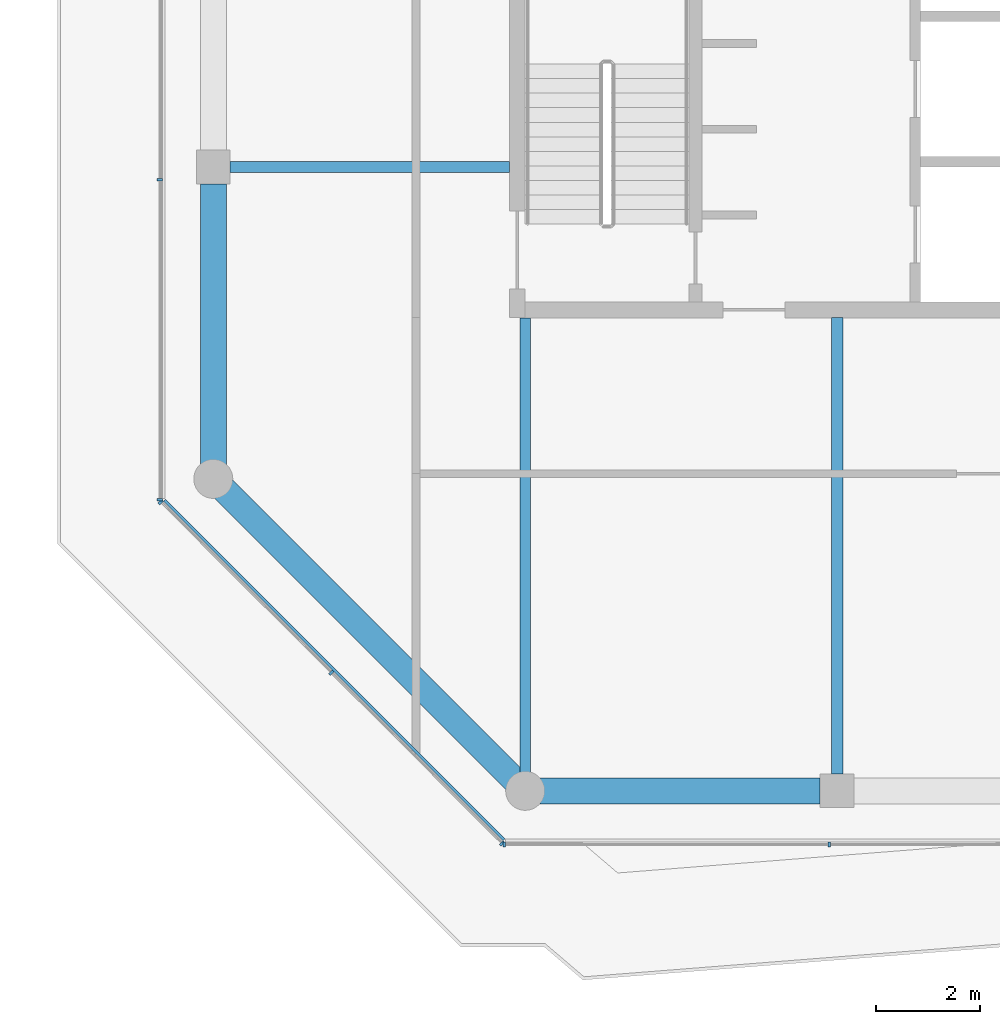
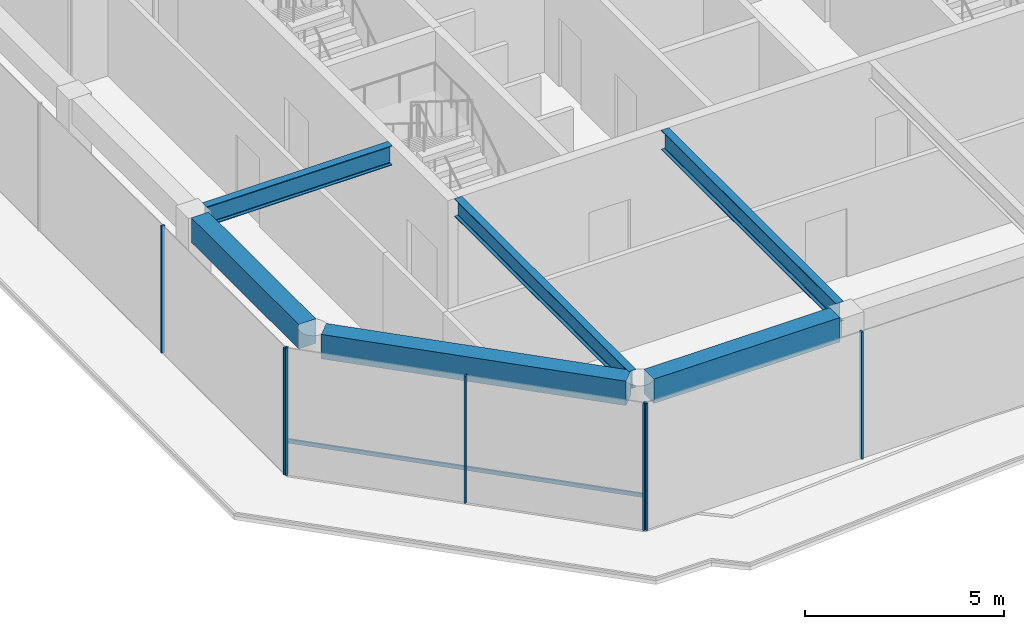
# One storey, part 2 of 20: 8 members, 6 beams, 3 elements without a shape of their own.
"""IFC4 building model written with IfcOpenShell, lengths in metres."""

from ifc_helpers import new_model, si_unit, direction, frame, origin, origin_2d, place, context, subcontext, project, spatial, rectangle, i_section, extrude, material, layer, layer_set, material_profile, profile_set, type_object, element, aggregate, save


model = new_model("IFC4")

# Units and contexts
model_context = context("Model", 3, precision=1e-05, world=origin(), true_north=direction((0.0, 1.0)))
body_context = subcontext(model_context, "Body", "Model", "MODEL_VIEW")
ifc_project = project(units=[si_unit("LENGTHUNIT", "METRE"), si_unit("AREAUNIT", "SQUARE_METRE"), si_unit("VOLUMEUNIT", "CUBIC_METRE"), si_unit("PLANEANGLEUNIT", "RADIAN"), si_unit("MASSUNIT", "GRAM", prefix="KILO")], contexts=[model_context])

# Site, building, storey
site_placement = place(None, origin())
site = spatial("IfcSite", under=ifc_project, at=site_placement, CompositionType="ELEMENT")
building_placement = place(site_placement, origin())
building = spatial("IfcBuilding", under=site, at=building_placement, Name="Welwitschia Terrace Campus", CompositionType="ELEMENT")
storey_placement = place(building_placement, frame((0.0, 0.0, 314.60009765625)))
storey = spatial("IfcBuildingStorey", under=building, at=storey_placement, Name="L70", CompositionType="ELEMENT", Elevation=314.60009765625)

# Beam
ifc_material_1 = material(Name="Steel S355", Category="steel")
ifc_material_profile_1 = material_profile(ifc_material_1, i_section(OverallWidth=0.2099609375, OverallDepth=0.550048828125, WebThickness=0.010986328125, FlangeThickness=0.01708984375, FilletRadius=0.02392578125, at=origin_2d()))
ifc_profile_set_1 = profile_set([ifc_material_profile_1], Name="Steel S355")
beam_type_1 = type_object("IfcBeamType", Name="Interior girder IPE 550", PredefinedType="BEAM", material=ifc_profile_set_1)
beam_1_placement = place(storey_placement, frame((6.0, -3.6494140625, 3.625), z_axis=(0.0, 1.0, 0.0), x_axis=(-1.0, 0.0, 0.0)))
element("IfcBeam", 1, at=beam_1_placement, inside=storey, type_object=beam_type_1, Name="Girder GB7", PredefinedType="BEAM", context=body_context, shape_type="SweptSolid", body=[
    extrude(i_section(OverallWidth=0.2099609375, OverallDepth=0.550048828125, WebThickness=0.010986328125, FlangeThickness=0.01708984375, FilletRadius=0.02392578125, at=origin_2d()), origin(), (0.0, 0.0, 1.0), 8.74853515625),
])

# Curtain wall, members
ifc_material_2 = material(Name="Bronze anodised aluminium", Category="aluminium")
ifc_layer = layer(ifc_material_2, 0.10009765625)
ifc_layer_set = layer_set([ifc_layer], Name="Bronze anodised aluminium")
curtain_wall_type = type_object("IfcCurtainWallType", Name="Curtain wall CW5 crown 6000", PredefinedType="NOTDEFINED", material=ifc_layer_set)
curtain_wall_1_placement = place(storey_placement, origin())
curtain_wall_1 = element("IfcCurtainWall", 2, at=curtain_wall_1_placement, inside=storey, type_object=curtain_wall_type, Name="CW L70.0.0", PredefinedType="NOTDEFINED")
ifc_material_3 = material(Name="Bronze anodised aluminium", Category="aluminium")
ifc_material_profile_2 = material_profile(ifc_material_3, rectangle(XDim=0.10009765625, YDim=0.050048828125, at=origin_2d()))
ifc_profile_set_2 = profile_set([ifc_material_profile_2], Name="Bronze anodised aluminium")
member_type_1 = type_object("IfcMemberType", Name="Mullion 50x100", PredefinedType="MULLION", material=ifc_profile_set_2)
member_1_placement = place(storey_placement, frame((-1.01220703125, 1.5556640625, 0.0), z_axis=(0.0, 0.0, 1.0), x_axis=(0.707106781187, 0.707106781187, 0.0)))
member_1 = element("IfcMember", 3, at=member_1_placement, type_object=member_type_1, Name="Mullion L70.0.0.0", PredefinedType="MULLION", context=body_context, shape_type="SweptSolid", body=[
    extrude(rectangle(XDim=0.10009765625, YDim=0.050048828125, at=origin_2d()), origin(), (0.0, 0.0, 1.0), 3.89990234375),
])
member_2_placement = place(storey_placement, frame((2.271728515625, -1.728271484375, 0.0), z_axis=(0.0, 0.0, 1.0), x_axis=(0.707106781187, 0.707106781187, 0.0)))
member_2 = element("IfcMember", 4, at=member_2_placement, type_object=member_type_1, Name="Mullion L70.0.0.1", PredefinedType="MULLION", context=body_context, shape_type="SweptSolid", body=[
    extrude(rectangle(XDim=0.10009765625, YDim=0.050048828125, at=origin_2d()), origin(), (0.0, 0.0, 1.0), 3.89990234375),
])
member_3_placement = place(storey_placement, frame((5.5556640625, -5.01220703125, 0.0), z_axis=(0.0, 0.0, 1.0), x_axis=(0.707106781187, 0.707106781187, 0.0)))
member_3 = element("IfcMember", 5, at=member_3_placement, type_object=member_type_1, Name="Mullion L70.0.0.2", PredefinedType="MULLION", context=body_context, shape_type="SweptSolid", body=[
    extrude(rectangle(XDim=0.10009765625, YDim=0.050048828125, at=origin_2d()), origin(), (0.0, 0.0, 1.0), 3.89990234375),
])

curtain_wall_2_placement = place(storey_placement, origin())
curtain_wall_2 = element("IfcCurtainWall", 6, at=curtain_wall_2_placement, inside=storey, type_object=curtain_wall_type, Name="CW L70.1.0", PredefinedType="NOTDEFINED")
member_4_placement = place(storey_placement, frame((5.598388671875, -5.030029296875, 0.0), z_axis=(0.0, 0.0, 1.0), x_axis=(0.0, 1.0, 0.0)))
member_4 = element("IfcMember", 7, at=member_4_placement, type_object=member_type_1, Name="Mullion L70.1.0.0", PredefinedType="MULLION", context=body_context, shape_type="SweptSolid", body=[
    extrude(rectangle(XDim=0.10009765625, YDim=0.050048828125, at=origin_2d()), origin(), (0.0, 0.0, 1.0), 3.89990234375),
])
member_5_placement = place(storey_placement, frame((11.850341796875, -5.030029296875, 0.0), z_axis=(0.0, 0.0, 1.0), x_axis=(0.0, 1.0, 0.0)))
member_5 = element("IfcMember", 8, at=member_5_placement, type_object=member_type_1, Name="Mullion L70.1.0.1", PredefinedType="MULLION", context=body_context, shape_type="SweptSolid", body=[
    extrude(rectangle(XDim=0.10009765625, YDim=0.050048828125, at=origin_2d()), origin(), (0.0, 0.0, 1.0), 3.89990234375),
])
aggregate(curtain_wall_2, [member_4, member_5])

curtain_wall_3_placement = place(storey_placement, origin())
curtain_wall_3 = element("IfcCurtainWall", 9, at=curtain_wall_3_placement, inside=storey, type_object=curtain_wall_type, Name="CW L70.7.0", PredefinedType="NOTDEFINED")
member_6_placement = place(storey_placement, frame((-1.030029296875, 7.75537109375, 0.0), z_axis=(0.0, 0.0, 1.0), x_axis=(1.0, 0.0, 0.0)))
member_6 = element("IfcMember", 10, at=member_6_placement, type_object=member_type_1, Name="Mullion L70.7.0.7", PredefinedType="MULLION", context=body_context, shape_type="SweptSolid", body=[
    extrude(rectangle(XDim=0.10009765625, YDim=0.050048828125, at=origin_2d()), origin(), (0.0, 0.0, 1.0), 3.89990234375),
])
member_7_placement = place(storey_placement, frame((-1.030029296875, 1.598388671875, 0.0), z_axis=(0.0, 0.0, 1.0), x_axis=(1.0, 0.0, 0.0)))
member_7 = element("IfcMember", 11, at=member_7_placement, type_object=member_type_1, Name="Mullion L70.7.0.8", PredefinedType="MULLION", context=body_context, shape_type="SweptSolid", body=[
    extrude(rectangle(XDim=0.10009765625, YDim=0.050048828125, at=origin_2d()), origin(), (0.0, 0.0, 1.0), 3.89990234375),
])
aggregate(curtain_wall_3, [member_6, member_7])

# Beams
ifc_material_4 = material(Name="Steel S355", Category="steel")
ifc_material_profile_3 = material_profile(ifc_material_4, i_section(OverallWidth=0.219970703125, OverallDepth=0.60009765625, WebThickness=0.011962890625, FlangeThickness=0.01904296875, FilletRadius=0.02392578125, at=origin_2d()))
ifc_profile_set_3 = profile_set([ifc_material_profile_3], Name="Steel S355")
beam_type_2 = type_object("IfcBeamType", Name="Primary beam IPE 600", PredefinedType="BEAM", material=ifc_profile_set_3)
beam_2_placement = place(storey_placement, frame((12.0, -3.674560546875, 3.599853515625), z_axis=(0.0, 1.0, 0.0), x_axis=(-1.0, 0.0, 0.0)))
element("IfcBeam", 12, at=beam_2_placement, inside=storey, type_object=beam_type_2, Name="Primary beam PB7", PredefinedType="BEAM", context=body_context, shape_type="SweptSolid", body=[
    extrude(i_section(OverallWidth=0.219970703125, OverallDepth=0.60009765625, WebThickness=0.011962890625, FlangeThickness=0.01904296875, FilletRadius=0.02392578125, at=origin_2d()), origin(), (0.0, 0.0, 1.0), 8.774658203125),
])
beam_3_placement = place(storey_placement, frame((0.325439453125, 8.0, 3.599853515625), z_axis=(1.0, 0.0, 0.0), x_axis=(0.0, 1.0, 0.0)))
element("IfcBeam", 13, at=beam_3_placement, inside=storey, type_object=beam_type_2, Name="Primary beam PB7", PredefinedType="BEAM", context=body_context, shape_type="SweptSolid", body=[
    extrude(i_section(OverallWidth=0.219970703125, OverallDepth=0.60009765625, WebThickness=0.011962890625, FlangeThickness=0.01904296875, FilletRadius=0.02392578125, at=origin_2d()), origin(), (0.0, 0.0, 1.0), 5.37451171875),
])
ifc_material_5 = material(Name="Concrete C40/50", Category="concrete")
ifc_material_profile_4 = material_profile(ifc_material_5, rectangle(XDim=0.5, YDim=0.75, at=origin_2d()))
ifc_profile_set_4 = profile_set([ifc_material_profile_4], Name="Concrete C40/50")
beam_type_3 = type_object("IfcBeamType", Name="Ring spandrel 500x750", PredefinedType="SPANDREL", material=ifc_profile_set_4)
beam_4_placement = place(storey_placement, frame((0.1982421875, 1.8017578125, 3.52490234375), z_axis=(0.707106781187, -0.707106781187, 0.0), x_axis=(0.707106781187, 0.707106781187, 0.0)))
element("IfcBeam", 14, at=beam_4_placement, inside=storey, type_object=beam_type_3, Name="Spandrel SP5", PredefinedType="SPANDREL", context=body_context, shape_type="SweptSolid", body=[
    extrude(rectangle(XDim=0.5, YDim=0.75, at=origin_2d()), origin(), (0.0, 0.0, 1.0), 7.924560546875),
])
for number, where, z_axis, x_axis, name in (
    (15, (6.280517578125, -4.0, 3.52490234375), (1.0, 0.0, 0.0), (0.0, 1.0, 0.0), "Spandrel SP5"),
    (16, (0.0, 7.674560546875, 3.52490234375), (0.0, -1.0, 0.0), (1.0, 0.0, 0.0), "Spandrel SP5"),
):
    element("IfcBeam", number, at=place(storey_placement, frame(where, z_axis=z_axis, x_axis=x_axis)), inside=storey, type_object=beam_type_3, Name=name, PredefinedType="SPANDREL", context=body_context, shape_type="SweptSolid", body=[
        extrude(rectangle(XDim=0.5, YDim=0.75, at=origin_2d()), origin(), (0.0, 0.0, 1.0), 5.39404296875),
    ])

# Member
ifc_material_6 = material(Name="Bronze anodised aluminium", Category="aluminium")
ifc_material_profile_5 = material_profile(ifc_material_6, rectangle(XDim=0.050048828125, YDim=0.1201171875, at=origin_2d()))
ifc_profile_set_5 = profile_set([ifc_material_profile_5], Name="Bronze anodised aluminium")
member_type_2 = type_object("IfcMemberType", Name="Transom 50x120", PredefinedType="USERDEFINED", material=ifc_profile_set_5)
member_8_placement = place(storey_placement, frame((-0.941650390625, 1.591064453125, 1.0), z_axis=(0.707106781187, -0.707106781187, 0.0), x_axis=(0.707106781187, 0.707106781187, 0.0)))
member_8 = element("IfcMember", 17, at=member_8_placement, type_object=member_type_2, Name="Transom L70.0.0", ObjectType="TRANSOM", PredefinedType="USERDEFINED", context=body_context, shape_type="SweptSolid", body=[
    extrude(rectangle(XDim=0.050048828125, YDim=0.1201171875, at=origin_2d()), origin(), (0.0, 0.0, 1.0), 9.23876953125),
])

aggregate(curtain_wall_1, [member_1, member_2, member_3, member_8])

save(model, "model.ifc")
